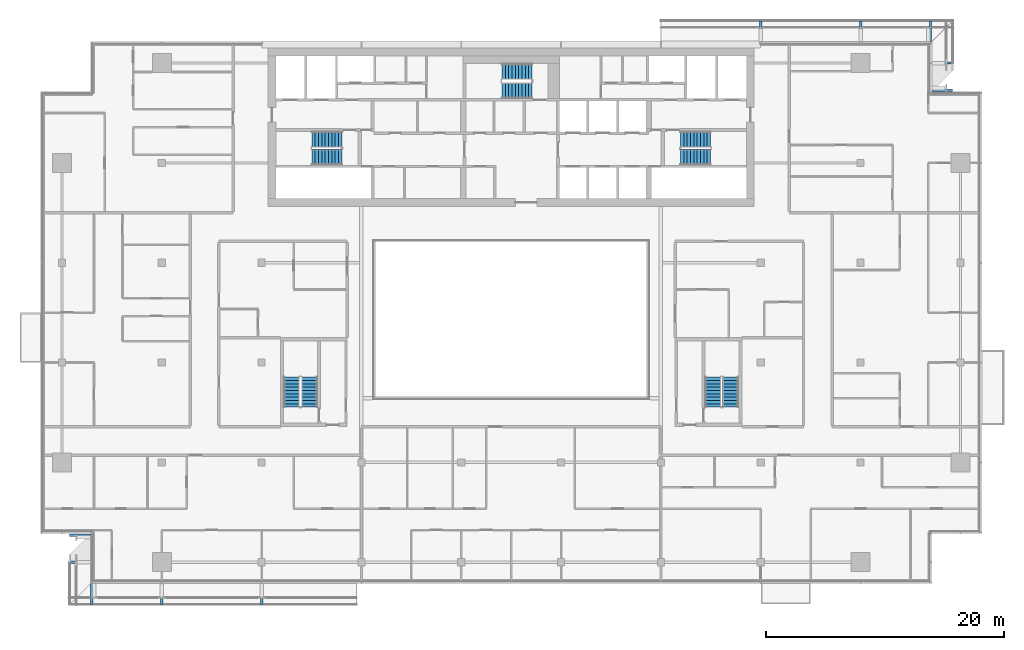
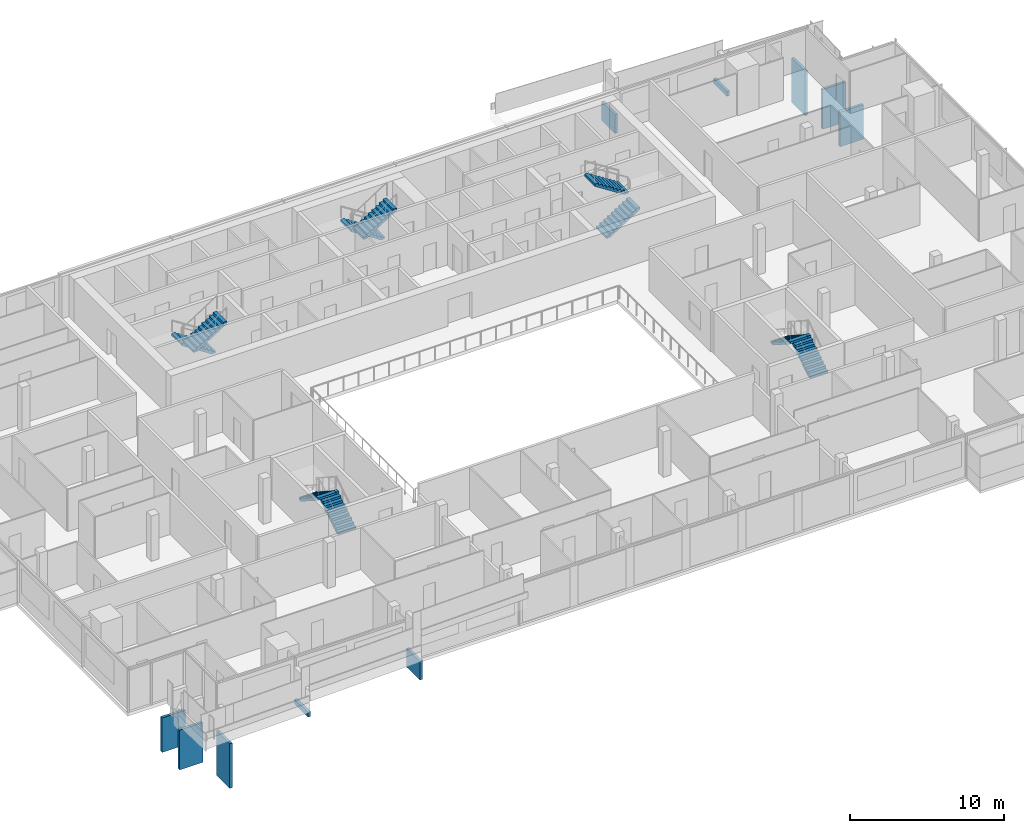
# One storey, part 24 of 29: 10 discrete accessories, 10 stair flights, 5 elements without a shape of their own.
"""IFC4 building model written with IfcOpenShell, lengths in metres."""

from ifc_helpers import new_model, si_unit, direction, frame, origin, origin_2d, place, context, subcontext, project, spatial, polyline, rectangle, outline, extrude, material, type_object, element, aggregate, save


model = new_model("IFC4")

# Units and contexts
model_context = context("Model", 3, precision=1e-05, world=origin(), true_north=direction((0.0, 1.0)))
body_context = subcontext(model_context, "Body", "Model", "MODEL_VIEW")
ifc_project = project(units=[si_unit("LENGTHUNIT", "METRE"), si_unit("AREAUNIT", "SQUARE_METRE"), si_unit("VOLUMEUNIT", "CUBIC_METRE"), si_unit("PLANEANGLEUNIT", "RADIAN"), si_unit("MASSUNIT", "GRAM", prefix="KILO")], contexts=[model_context])

# Site, building, storey
site_placement = place(None, origin())
site = spatial("IfcSite", under=ifc_project, at=site_placement, CompositionType="ELEMENT")
building_placement = place(site_placement, origin())
building = spatial("IfcBuilding", under=site, at=building_placement, Name="Saffron Gate Tower", CompositionType="ELEMENT")
storey_placement = place(building_placement, frame((0.0, 0.0, 227.10009765625)))
storey = spatial("IfcBuildingStorey", under=building, at=storey_placement, Name="L55", CompositionType="ELEMENT", Elevation=227.10009765625)

# Stair, stair flights
ifc_material = material(Name="Concrete C40", Category="concrete")
stair_type = type_object("IfcStairType", Name="ST7 Stair 1350 wide, 20 risers of 180", PredefinedType="HALF_TURN_STAIR", material=ifc_material)
stair_1_placement = place(storey_placement, origin())
stair_1 = element("IfcStair", 1, at=stair_1_placement, inside=storey, type_object=stair_type, Name="L55 Exit stair A", PredefinedType="HALF_TURN_STAIR")
stair_flight_type = type_object("IfcStairFlightType", Name="SF3 Stair flight 1350 wide, riser 180 going 280", PredefinedType="STRAIGHT", material=ifc_material)
stair_flight_1_placement = place(storey_placement, frame((73.35009765625, 67.375, 0.0), z_axis=(0.0, 0.0, 1.0), x_axis=(-1.0, 0.0, 0.0)))
stair_flight_1 = element("IfcStairFlight", 2, at=stair_flight_1_placement, type_object=stair_flight_type, Name="ST-A flight 1", NumberOfRisers=10, NumberOfTreads=9, PredefinedType="STRAIGHT", RiserHeight=0.18, TreadLength=0.28, context=body_context, shape_type="SweptSolid", body=[
    extrude(outline(polyline([(0.0, 0.0), (0.0, 0.179931640625), (0.280029296875, 0.179931640625), (0.280029296875, 0.360107421875), (0.56005859375, 0.360107421875), (0.56005859375, 0.5400390625), (0.840087890625, 0.5400390625), (0.840087890625, 0.719970703125), (1.1201171875, 0.719970703125), (1.1201171875, 0.89990234375), (1.39990234375, 0.89990234375), (1.39990234375, 1.080078125), (1.679931640625, 1.080078125), (1.679931640625, 1.260009765625), (1.9599609375, 1.260009765625), (1.9599609375, 1.43994140625), (2.239990234375, 1.43994140625), (2.239990234375, 1.6201171875), (2.52001953125, 1.6201171875), (2.52001953125, 1.800048828125), (2.52001953125, 1.44189453125), (0.277099609375, 0.0), (0.0, 0.0)])), frame((0.0, 0.675048828125, 0.0), z_axis=(0.0, -1.0, 0.0), x_axis=(1.0, 0.0, 0.0)), (0.0, 0.0, 1.0), 1.35009765625),
])
stair_flight_2_placement = place(storey_placement, frame((70.830078125, 65.875, 1.7998046875), z_axis=(0.0, 0.0, 1.0), x_axis=(1.0, 0.0, 0.0)))
stair_flight_2 = element("IfcStairFlight", 3, at=stair_flight_2_placement, type_object=stair_flight_type, Name="ST-A flight 2", NumberOfRisers=10, NumberOfTreads=9, PredefinedType="STRAIGHT", RiserHeight=0.18, TreadLength=0.28, context=body_context, shape_type="SweptSolid", body=[
    extrude(outline(polyline([(0.0, 0.0), (0.0, 0.179931640625), (0.280029296875, 0.179931640625), (0.280029296875, 0.360107421875), (0.56005859375, 0.360107421875), (0.56005859375, 0.5400390625), (0.840087890625, 0.5400390625), (0.840087890625, 0.719970703125), (1.1201171875, 0.719970703125), (1.1201171875, 0.89990234375), (1.39990234375, 0.89990234375), (1.39990234375, 1.080078125), (1.679931640625, 1.080078125), (1.679931640625, 1.260009765625), (1.9599609375, 1.260009765625), (1.9599609375, 1.43994140625), (2.239990234375, 1.43994140625), (2.239990234375, 1.6201171875), (2.52001953125, 1.6201171875), (2.52001953125, 1.800048828125), (2.52001953125, 1.44189453125), (0.277099609375, 0.0), (0.0, 0.0)])), frame((0.0, 0.675048828125, 0.0), z_axis=(0.0, -1.0, 0.0), x_axis=(1.0, 0.0, 0.0)), (0.0, 0.0, 1.0), 1.35009765625),
])
aggregate(stair_1, [stair_flight_1, stair_flight_2])

stair_2_placement = place(storey_placement, origin())
stair_2 = element("IfcStair", 4, at=stair_2_placement, inside=storey, type_object=stair_type, Name="L55 Exit stair B", PredefinedType="HALF_TURN_STAIR")
stair_flight_3_placement = place(storey_placement, frame((101.85009765625, 65.875, 0.0), z_axis=(0.0, 0.0, 1.0), x_axis=(1.0, 0.0, 0.0)))
stair_flight_3 = element("IfcStairFlight", 5, at=stair_flight_3_placement, type_object=stair_flight_type, Name="ST-B flight 1", NumberOfRisers=10, NumberOfTreads=9, PredefinedType="STRAIGHT", RiserHeight=0.18, TreadLength=0.28, context=body_context, shape_type="SweptSolid", body=[
    extrude(outline(polyline([(0.0, 0.0), (0.0, 0.179931640625), (0.280029296875, 0.179931640625), (0.280029296875, 0.360107421875), (0.56005859375, 0.360107421875), (0.56005859375, 0.5400390625), (0.840087890625, 0.5400390625), (0.840087890625, 0.719970703125), (1.1201171875, 0.719970703125), (1.1201171875, 0.89990234375), (1.39990234375, 0.89990234375), (1.39990234375, 1.080078125), (1.679931640625, 1.080078125), (1.679931640625, 1.260009765625), (1.9599609375, 1.260009765625), (1.9599609375, 1.43994140625), (2.239990234375, 1.43994140625), (2.239990234375, 1.6201171875), (2.52001953125, 1.6201171875), (2.52001953125, 1.800048828125), (2.52001953125, 1.44189453125), (0.277099609375, 0.0), (0.0, 0.0)])), frame((0.0, 0.675048828125, 0.0), z_axis=(0.0, -1.0, 0.0), x_axis=(1.0, 0.0, 0.0)), (0.0, 0.0, 1.0), 1.35009765625),
])
stair_flight_4_placement = place(storey_placement, frame((104.3701171875, 67.375, 1.7998046875), z_axis=(0.0, 0.0, 1.0), x_axis=(-1.0, 0.0, 0.0)))
stair_flight_4 = element("IfcStairFlight", 6, at=stair_flight_4_placement, type_object=stair_flight_type, Name="ST-B flight 2", NumberOfRisers=10, NumberOfTreads=9, PredefinedType="STRAIGHT", RiserHeight=0.18, TreadLength=0.28, context=body_context, shape_type="SweptSolid", body=[
    extrude(outline(polyline([(0.0, 0.0), (0.0, 0.179931640625), (0.280029296875, 0.179931640625), (0.280029296875, 0.360107421875), (0.56005859375, 0.360107421875), (0.56005859375, 0.5400390625), (0.840087890625, 0.5400390625), (0.840087890625, 0.719970703125), (1.1201171875, 0.719970703125), (1.1201171875, 0.89990234375), (1.39990234375, 0.89990234375), (1.39990234375, 1.080078125), (1.679931640625, 1.080078125), (1.679931640625, 1.260009765625), (1.9599609375, 1.260009765625), (1.9599609375, 1.43994140625), (2.239990234375, 1.43994140625), (2.239990234375, 1.6201171875), (2.52001953125, 1.6201171875), (2.52001953125, 1.800048828125), (2.52001953125, 1.44189453125), (0.277099609375, 0.0), (0.0, 0.0)])), frame((0.0, 0.675048828125, 0.0), z_axis=(0.0, -1.0, 0.0), x_axis=(1.0, 0.0, 0.0)), (0.0, 0.0, 1.0), 1.35009765625),
])
aggregate(stair_2, [stair_flight_3, stair_flight_4])

stair_3_placement = place(storey_placement, origin())
stair_3 = element("IfcStair", 7, at=stair_3_placement, inside=storey, type_object=stair_type, Name="L55 Exit stair C", PredefinedType="HALF_TURN_STAIR")
stair_flight_5_placement = place(storey_placement, frame((89.35009765625, 73.074951171875, 0.0), z_axis=(0.0, 0.0, 1.0), x_axis=(-1.0, 0.0, 0.0)))
stair_flight_5 = element("IfcStairFlight", 8, at=stair_flight_5_placement, type_object=stair_flight_type, Name="ST-C flight 1", NumberOfRisers=10, NumberOfTreads=9, PredefinedType="STRAIGHT", RiserHeight=0.18, TreadLength=0.28, context=body_context, shape_type="SweptSolid", body=[
    extrude(outline(polyline([(0.0, 0.0), (0.0, 0.179931640625), (0.280029296875, 0.179931640625), (0.280029296875, 0.360107421875), (0.56005859375, 0.360107421875), (0.56005859375, 0.5400390625), (0.840087890625, 0.5400390625), (0.840087890625, 0.719970703125), (1.1201171875, 0.719970703125), (1.1201171875, 0.89990234375), (1.39990234375, 0.89990234375), (1.39990234375, 1.080078125), (1.679931640625, 1.080078125), (1.679931640625, 1.260009765625), (1.9599609375, 1.260009765625), (1.9599609375, 1.43994140625), (2.239990234375, 1.43994140625), (2.239990234375, 1.6201171875), (2.52001953125, 1.6201171875), (2.52001953125, 1.800048828125), (2.52001953125, 1.44189453125), (0.277099609375, 0.0), (0.0, 0.0)])), frame((0.0, 0.675048828125, 0.0), z_axis=(0.0, -1.0, 0.0), x_axis=(1.0, 0.0, 0.0)), (0.0, 0.0, 1.0), 1.35009765625),
])
stair_flight_6_placement = place(storey_placement, frame((86.830078125, 71.47509765625, 1.7998046875), z_axis=(0.0, 0.0, 1.0), x_axis=(1.0, 0.0, 0.0)))
stair_flight_6 = element("IfcStairFlight", 9, at=stair_flight_6_placement, type_object=stair_flight_type, Name="ST-C flight 2", NumberOfRisers=10, NumberOfTreads=9, PredefinedType="STRAIGHT", RiserHeight=0.18, TreadLength=0.28, context=body_context, shape_type="SweptSolid", body=[
    extrude(outline(polyline([(0.0, 0.0), (0.0, 0.179931640625), (0.280029296875, 0.179931640625), (0.280029296875, 0.360107421875), (0.56005859375, 0.360107421875), (0.56005859375, 0.5400390625), (0.840087890625, 0.5400390625), (0.840087890625, 0.719970703125), (1.1201171875, 0.719970703125), (1.1201171875, 0.89990234375), (1.39990234375, 0.89990234375), (1.39990234375, 1.080078125), (1.679931640625, 1.080078125), (1.679931640625, 1.260009765625), (1.9599609375, 1.260009765625), (1.9599609375, 1.43994140625), (2.239990234375, 1.43994140625), (2.239990234375, 1.6201171875), (2.52001953125, 1.6201171875), (2.52001953125, 1.800048828125), (2.52001953125, 1.44189453125), (0.277099609375, 0.0), (0.0, 0.0)])), frame((0.0, 0.675048828125, 0.0), z_axis=(0.0, -1.0, 0.0), x_axis=(1.0, 0.0, 0.0)), (0.0, 0.0, 1.0), 1.35009765625),
])
aggregate(stair_3, [stair_flight_5, stair_flight_6])

stair_4_placement = place(storey_placement, origin())
stair_4 = element("IfcStair", 10, at=stair_4_placement, inside=storey, type_object=stair_type, Name="L55 Exit stair D", PredefinedType="HALF_TURN_STAIR")
stair_flight_7_placement = place(storey_placement, frame((70.625, 44.85009765625, 0.0), z_axis=(0.0, 0.0, 1.0), x_axis=(0.0, 1.0, 0.0)))
stair_flight_7 = element("IfcStairFlight", 11, at=stair_flight_7_placement, type_object=stair_flight_type, Name="ST-D flight 1", NumberOfRisers=10, NumberOfTreads=9, PredefinedType="STRAIGHT", RiserHeight=0.18, TreadLength=0.28, context=body_context, shape_type="SweptSolid", body=[
    extrude(outline(polyline([(0.0, 0.0), (0.0, 0.179931640625), (0.280029296875, 0.179931640625), (0.280029296875, 0.360107421875), (0.56005859375, 0.360107421875), (0.56005859375, 0.5400390625), (0.840087890625, 0.5400390625), (0.840087890625, 0.719970703125), (1.1201171875, 0.719970703125), (1.1201171875, 0.89990234375), (1.39990234375, 0.89990234375), (1.39990234375, 1.080078125), (1.679931640625, 1.080078125), (1.679931640625, 1.260009765625), (1.9599609375, 1.260009765625), (1.9599609375, 1.43994140625), (2.239990234375, 1.43994140625), (2.239990234375, 1.6201171875), (2.52001953125, 1.6201171875), (2.52001953125, 1.800048828125), (2.52001953125, 1.44189453125), (0.277099609375, 0.0), (0.0, 0.0)])), frame((0.0, 0.675048828125, 0.0), z_axis=(0.0, -1.0, 0.0), x_axis=(1.0, 0.0, 0.0)), (0.0, 0.0, 1.0), 1.35009765625),
])
stair_flight_8_placement = place(storey_placement, frame((69.125, 47.3701171875, 1.7998046875), z_axis=(0.0, 0.0, 1.0), x_axis=(0.0, -1.0, 0.0)))
stair_flight_8 = element("IfcStairFlight", 12, at=stair_flight_8_placement, type_object=stair_flight_type, Name="ST-D flight 2", NumberOfRisers=10, NumberOfTreads=9, PredefinedType="STRAIGHT", RiserHeight=0.18, TreadLength=0.28, context=body_context, shape_type="SweptSolid", body=[
    extrude(outline(polyline([(0.0, 0.0), (0.0, 0.179931640625), (0.280029296875, 0.179931640625), (0.280029296875, 0.360107421875), (0.56005859375, 0.360107421875), (0.56005859375, 0.5400390625), (0.840087890625, 0.5400390625), (0.840087890625, 0.719970703125), (1.1201171875, 0.719970703125), (1.1201171875, 0.89990234375), (1.39990234375, 0.89990234375), (1.39990234375, 1.080078125), (1.679931640625, 1.080078125), (1.679931640625, 1.260009765625), (1.9599609375, 1.260009765625), (1.9599609375, 1.43994140625), (2.239990234375, 1.43994140625), (2.239990234375, 1.6201171875), (2.52001953125, 1.6201171875), (2.52001953125, 1.800048828125), (2.52001953125, 1.44189453125), (0.277099609375, 0.0), (0.0, 0.0)])), frame((0.0, 0.675048828125, 0.0), z_axis=(0.0, -1.0, 0.0), x_axis=(1.0, 0.0, 0.0)), (0.0, 0.0, 1.0), 1.35009765625),
])
aggregate(stair_4, [stair_flight_7, stair_flight_8])

stair_5_placement = place(storey_placement, origin())
stair_5 = element("IfcStair", 13, at=stair_5_placement, inside=storey, type_object=stair_type, Name="L55 Exit stair E", PredefinedType="HALF_TURN_STAIR")
stair_flight_9_placement = place(storey_placement, frame((106.074951171875, 44.85009765625, 0.0), z_axis=(0.0, 0.0, 1.0), x_axis=(0.0, 1.0, 0.0)))
stair_flight_9 = element("IfcStairFlight", 14, at=stair_flight_9_placement, type_object=stair_flight_type, Name="ST-E flight 1", NumberOfRisers=10, NumberOfTreads=9, PredefinedType="STRAIGHT", RiserHeight=0.18, TreadLength=0.28, context=body_context, shape_type="SweptSolid", body=[
    extrude(outline(polyline([(0.0, 0.0), (0.0, 0.179931640625), (0.280029296875, 0.179931640625), (0.280029296875, 0.360107421875), (0.56005859375, 0.360107421875), (0.56005859375, 0.5400390625), (0.840087890625, 0.5400390625), (0.840087890625, 0.719970703125), (1.1201171875, 0.719970703125), (1.1201171875, 0.89990234375), (1.39990234375, 0.89990234375), (1.39990234375, 1.080078125), (1.679931640625, 1.080078125), (1.679931640625, 1.260009765625), (1.9599609375, 1.260009765625), (1.9599609375, 1.43994140625), (2.239990234375, 1.43994140625), (2.239990234375, 1.6201171875), (2.52001953125, 1.6201171875), (2.52001953125, 1.800048828125), (2.52001953125, 1.44189453125), (0.277099609375, 0.0), (0.0, 0.0)])), frame((0.0, 0.675048828125, 0.0), z_axis=(0.0, -1.0, 0.0), x_axis=(1.0, 0.0, 0.0)), (0.0, 0.0, 1.0), 1.35009765625),
])
stair_flight_10_placement = place(storey_placement, frame((104.574951171875, 47.3701171875, 1.7998046875), z_axis=(0.0, 0.0, 1.0), x_axis=(0.0, -1.0, 0.0)))
stair_flight_10 = element("IfcStairFlight", 15, at=stair_flight_10_placement, type_object=stair_flight_type, Name="ST-E flight 2", NumberOfRisers=10, NumberOfTreads=9, PredefinedType="STRAIGHT", RiserHeight=0.18, TreadLength=0.28, context=body_context, shape_type="SweptSolid", body=[
    extrude(outline(polyline([(0.0, 0.0), (0.0, 0.179931640625), (0.280029296875, 0.179931640625), (0.280029296875, 0.360107421875), (0.56005859375, 0.360107421875), (0.56005859375, 0.5400390625), (0.840087890625, 0.5400390625), (0.840087890625, 0.719970703125), (1.1201171875, 0.719970703125), (1.1201171875, 0.89990234375), (1.39990234375, 0.89990234375), (1.39990234375, 1.080078125), (1.679931640625, 1.080078125), (1.679931640625, 1.260009765625), (1.9599609375, 1.260009765625), (1.9599609375, 1.43994140625), (2.239990234375, 1.43994140625), (2.239990234375, 1.6201171875), (2.52001953125, 1.6201171875), (2.52001953125, 1.800048828125), (2.52001953125, 1.44189453125), (0.277099609375, 0.0), (0.0, 0.0)])), frame((0.0, 0.675048828125, 0.0), z_axis=(0.0, -1.0, 0.0), x_axis=(1.0, 0.0, 0.0)), (0.0, 0.0, 1.0), 1.35009765625),
])
aggregate(stair_5, [stair_flight_9, stair_flight_10])

# Discrete accessories
discrete_accessory_1_placement = place(storey_placement, frame((123.875, 71.52001953125, -3.8798828125), z_axis=(0.0, 0.0, 1.0), x_axis=(0.0, 1.0, 0.0)))
element("IfcDiscreteAccessory", 16, at=discrete_accessory_1_placement, inside=storey, Name="LEDGE rib", PredefinedType="BRACKET", context=body_context, shape_type="SweptSolid", body=[
    extrude(rectangle(XDim=0.199951171875, YDim=1.75, at=origin_2d()), origin(), (0.0, 0.0, 1.0), 2.744873046875),
])
discrete_accessory_2_placement = place(storey_placement, frame((123.875, 73.800048828125, -3.8798828125), z_axis=(0.0, 0.0, 1.0), x_axis=(0.0, 1.0, 0.0)))
element("IfcDiscreteAccessory", 17, at=discrete_accessory_2_placement, inside=storey, Name="LEDGE rib", PredefinedType="BRACKET", context=body_context, shape_type="SweptSolid", body=[
    extrude(rectangle(XDim=0.199951171875, YDim=1.75, at=origin_2d()), origin(), (0.0, 0.0, 1.0), 3.156982421875),
])
discrete_accessory_3_placement = place(storey_placement, frame((122.8798828125, 76.47509765625, -3.880126953125), z_axis=(0.0, 0.0, 1.0), x_axis=(-1.0, 0.0, 0.0)))
element("IfcDiscreteAccessory", 18, at=discrete_accessory_3_placement, inside=storey, Name="LEDGE rib", PredefinedType="BRACKET", context=body_context, shape_type="SweptSolid", body=[
    extrude(rectangle(XDim=0.199951171875, YDim=1.75, at=origin_2d()), origin(), (0.0, 0.0, 1.0), 3.5517578125),
])
discrete_accessory_4_placement = place(storey_placement, frame((117.0, 76.47509765625, -0.280029296875), z_axis=(0.0, 0.0, 1.0), x_axis=(-1.0, 0.0, 0.0)))
element("IfcDiscreteAccessory", 19, at=discrete_accessory_4_placement, inside=storey, Name="LEDGE rib", PredefinedType="BRACKET", context=body_context, shape_type="SweptSolid", body=[
    extrude(rectangle(XDim=0.199951171875, YDim=1.75, at=origin_2d()), origin(), (0.0, 0.0, 1.0), 0.3818359375),
])
discrete_accessory_5_placement = place(storey_placement, frame((108.60009765625, 76.47509765625, -0.2802734375), z_axis=(0.0, 0.0, 1.0), x_axis=(-1.0, 0.0, 0.0)))
element("IfcDiscreteAccessory", 20, at=discrete_accessory_5_placement, inside=storey, Name="LEDGE rib", PredefinedType="BRACKET", context=body_context, shape_type="SweptSolid", body=[
    extrude(rectangle(XDim=0.199951171875, YDim=1.75, at=origin_2d()), origin(), (0.0, 0.0, 1.0), 1.481201171875),
])
discrete_accessory_6_placement = place(storey_placement, frame((51.324951171875, 34.080078125, -3.8798828125), z_axis=(0.0, 0.0, 1.0), x_axis=(0.0, -1.0, 0.0)))
element("IfcDiscreteAccessory", 21, at=discrete_accessory_6_placement, inside=storey, Name="LEDGE rib", PredefinedType="BRACKET", context=body_context, shape_type="SweptSolid", body=[
    extrude(rectangle(XDim=0.199951171875, YDim=1.75, at=origin_2d()), origin(), (0.0, 0.0, 1.0), 2.744873046875),
])
discrete_accessory_7_placement = place(storey_placement, frame((51.324951171875, 31.800048828125, -3.8798828125), z_axis=(0.0, 0.0, 1.0), x_axis=(0.0, -1.0, 0.0)))
element("IfcDiscreteAccessory", 22, at=discrete_accessory_7_placement, inside=storey, Name="LEDGE rib", PredefinedType="BRACKET", context=body_context, shape_type="SweptSolid", body=[
    extrude(rectangle(XDim=0.199951171875, YDim=1.75, at=origin_2d()), origin(), (0.0, 0.0, 1.0), 3.156982421875),
])
discrete_accessory_8_placement = place(storey_placement, frame((52.320068359375, 29.125, -3.880126953125), z_axis=(0.0, 0.0, 1.0), x_axis=(1.0, 0.0, 0.0)))
element("IfcDiscreteAccessory", 23, at=discrete_accessory_8_placement, inside=storey, Name="LEDGE rib", PredefinedType="BRACKET", context=body_context, shape_type="SweptSolid", body=[
    extrude(rectangle(XDim=0.199951171875, YDim=1.75, at=origin_2d()), origin(), (0.0, 0.0, 1.0), 3.5517578125),
])
discrete_accessory_9_placement = place(storey_placement, frame((58.199951171875, 29.125, -0.280029296875), z_axis=(0.0, 0.0, 1.0), x_axis=(1.0, 0.0, 0.0)))
element("IfcDiscreteAccessory", 24, at=discrete_accessory_9_placement, inside=storey, Name="LEDGE rib", PredefinedType="BRACKET", context=body_context, shape_type="SweptSolid", body=[
    extrude(rectangle(XDim=0.199951171875, YDim=1.75, at=origin_2d()), origin(), (0.0, 0.0, 1.0), 0.3818359375),
])
discrete_accessory_10_placement = place(storey_placement, frame((66.60009765625, 29.125, -0.2802734375), z_axis=(0.0, 0.0, 1.0), x_axis=(1.0, 0.0, 0.0)))
element("IfcDiscreteAccessory", 25, at=discrete_accessory_10_placement, inside=storey, Name="LEDGE rib", PredefinedType="BRACKET", context=body_context, shape_type="SweptSolid", body=[
    extrude(rectangle(XDim=0.199951171875, YDim=1.75, at=origin_2d()), origin(), (0.0, 0.0, 1.0), 1.481201171875),
])

save(model, "model.ifc")
